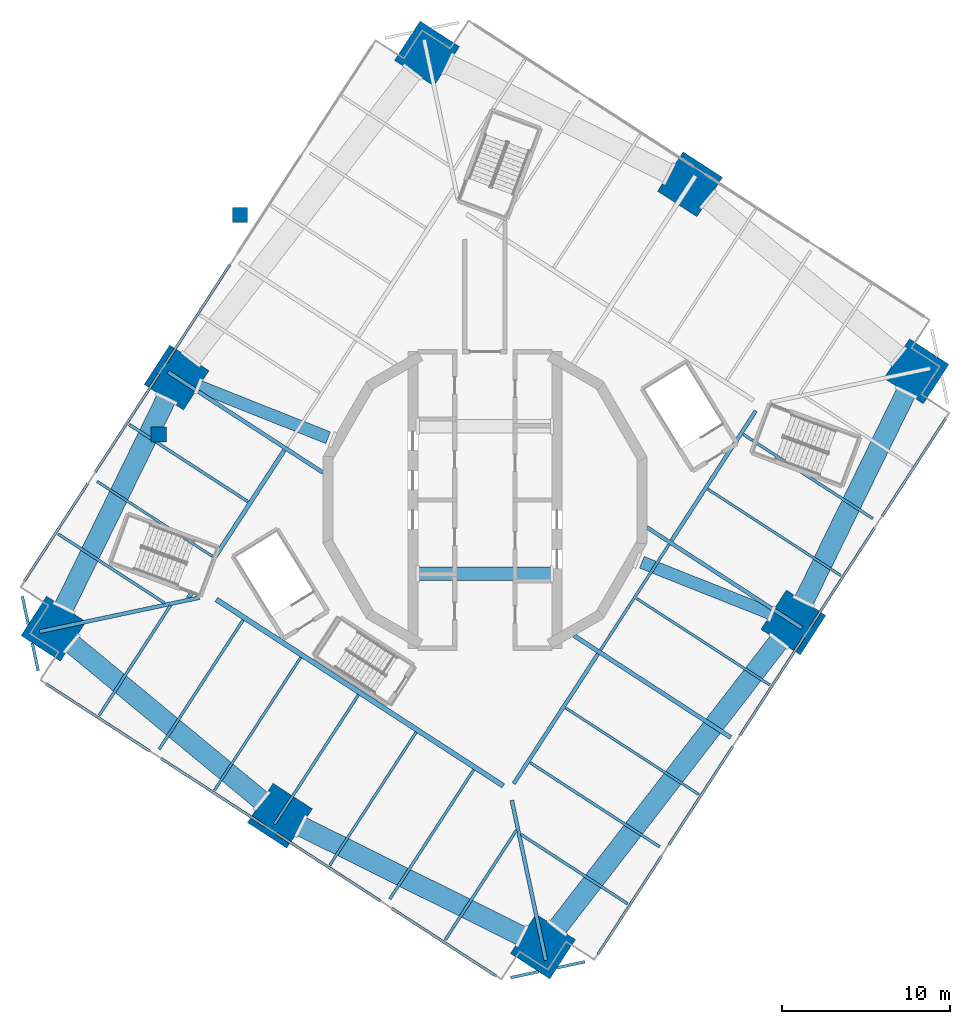
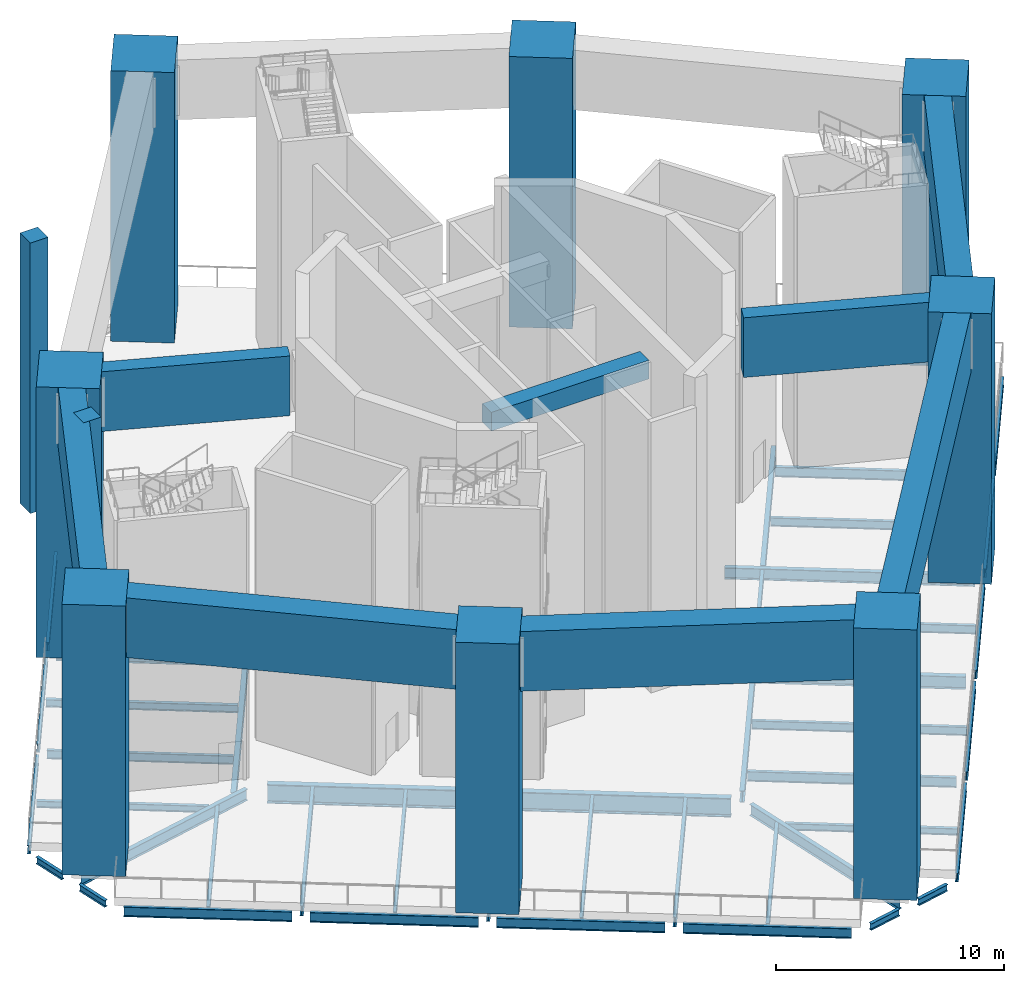
# One storey, part 1 of 16: 50 beams, 10 columns.
"""IFC4 building model written with IfcOpenShell, lengths in metres."""

from ifc_helpers import new_model, si_unit, direction, frame, origin, origin_2d, place, context, subcontext, project, spatial, rectangle, i_section, extrude, material, material_profile, profile_set, type_object, element, save


model = new_model("IFC4")

# Units and contexts
model_context = context("Model", 3, precision=1e-05, world=origin(), true_north=direction((0.0, 1.0)))
body_context = subcontext(model_context, "Body", "Model", "MODEL_VIEW")
ifc_project = project(units=[si_unit("LENGTHUNIT", "METRE"), si_unit("AREAUNIT", "SQUARE_METRE"), si_unit("VOLUMEUNIT", "CUBIC_METRE"), si_unit("PLANEANGLEUNIT", "RADIAN"), si_unit("MASSUNIT", "GRAM", prefix="KILO")], contexts=[model_context])

# Site, building, storey
site_placement = place(None, origin())
site = spatial("IfcSite", under=ifc_project, at=site_placement, CompositionType="ELEMENT")
building_placement = place(site_placement, origin())
building = spatial("IfcBuilding", under=site, at=building_placement, Name="Cantera Rosa Tower", CompositionType="ELEMENT")
storey_placement = place(building_placement, frame((0.0, 0.0, 290.10009765625)))
storey = spatial("IfcBuildingStorey", under=building, at=storey_placement, Name="L66", CompositionType="ELEMENT", Elevation=290.10009765625)

# Columns
ifc_material_1 = material(Name="Concrete C50/60", Category="concrete")
ifc_material_profile_1 = material_profile(ifc_material_1, rectangle(XDim=0.89990234375, YDim=0.89990234375, at=origin_2d()), Name="RC COLUMN RC900X900 C50/60")
ifc_profile_set_1 = profile_set([ifc_material_profile_1], Name="Concrete C50/60")
column_type_1 = type_object("IfcColumnType", Name="RC COLUMN RC900X900 C50/60", PredefinedType="COLUMN", material=ifc_profile_set_1)
for number, where, z_axis, x_axis, name in (
    (1, (-14.6015625, 17.00341796875, 0.0), (0.0, 0.0, 1.0), (1.0, 0.0, 0.0), "CP-L67-1 L66"),
    (2, (-19.452392578125, 3.9130859375, 0.0), (0.0, 0.0, 1.0), (1.0, 0.0, 0.0), "CP-L67-2 L66"),
):
    element("IfcColumn", number, at=place(storey_placement, frame(where, z_axis=z_axis, x_axis=x_axis)), inside=storey, type_object=column_type_1, Name=name, PredefinedType="COLUMN", context=body_context, shape_type="SweptSolid", body=[
        extrude(rectangle(XDim=0.89990234375, YDim=0.89990234375, at=origin_2d()), origin(), (0.0, 0.0, 1.0), 14.5),
    ])
ifc_material_2 = material(Name="Concrete C50/60", Category="concrete")
ifc_material_profile_2 = material_profile(ifc_material_2, rectangle(XDim=2.800048828125, YDim=2.800048828125, at=origin_2d()), Name="RC MEGA COLUMN RC2800X2800 C50/60")
ifc_profile_set_2 = profile_set([ifc_material_profile_2], Name="Concrete C50/60")
column_type_2 = type_object("IfcColumnType", Name="RC MEGA COLUMN RC2800X2800 C50/60", PredefinedType="COLUMN", material=ifc_profile_set_2)
for number, where, z_axis, x_axis, name in (
    (3, (-3.455078125, 26.62744140625, 0.0), (0.0, 0.0, 1.0), (0.544639035015, 0.838670567945, 0.0), "PM-C-Z5-06 L66"),
    (4, (25.730712890625, 7.674072265625, 0.0), (0.0, 0.0, 1.0), (0.544639035015, 0.838670567945, 0.0), "PM-C-Z5-26 L66"),
    (5, (-25.730712890625, -7.674072265625, 0.0), (0.0, 0.0, 1.0), (0.544639035015, 0.838670567945, 0.0), "PM-C-Z5-13 L66"),
    (6, (3.455078125, -26.62744140625, 0.0), (0.0, 0.0, 1.0), (0.544639035015, 0.838670567945, 0.0), "PM-C-Z5-19 L66"),
    (7, (12.22705078125, 18.828125, 0.0), (0.0, 0.0, 1.0), (0.544639035015, 0.838670567945, 0.0), "PM-C-Z5-03 L66"),
    (8, (-12.22705078125, -18.828125, 0.0), (0.0, 0.0, 1.0), (0.544639035015, 0.838670567945, 0.0), "PM-C-Z5-16 L66"),
    (9, (-18.388916015625, 7.303466796875, 0.0), (0.0, 0.0, 1.0), (0.544639035015, 0.838670567945, 0.0), "PM-C-Z5-10 L66"),
    (10, (18.388916015625, -7.303466796875, 0.0), (0.0, 0.0, 1.0), (0.544639035015, 0.838670567945, 0.0), "PM-C-Z5-23 L66"),
):
    element("IfcColumn", number, at=place(storey_placement, frame(where, z_axis=z_axis, x_axis=x_axis)), inside=storey, type_object=column_type_2, Name=name, PredefinedType="COLUMN", context=body_context, shape_type="SweptSolid", body=[
        extrude(rectangle(XDim=2.800048828125, YDim=2.800048828125, at=origin_2d()), origin(), (0.0, 0.0, 1.0), 14.5),
    ])

# Beams
ifc_material_3 = material(Name="Concrete C50/60", Category="concrete")
ifc_material_profile_3 = material_profile(ifc_material_3, rectangle(XDim=0.800048828125, YDim=1.0, at=origin_2d()), Name="RC COUPLING BEAM RC800X1000 C50/60")
ifc_profile_set_3 = profile_set([ifc_material_profile_3], Name="Concrete C50/60")
beam_type_1 = type_object("IfcBeamType", Name="RC COUPLING BEAM RC800X1000 C50/60", PredefinedType="BEAM", material=ifc_profile_set_3)
beam_1_placement = place(storey_placement, frame((-4.0, -4.39990234375, 14.0), z_axis=(1.0, 0.0, 0.0), x_axis=(0.0, 1.0, 0.0)))
element("IfcBeam", 11, at=beam_1_placement, inside=storey, type_object=beam_type_1, Name="CPL-L66-1", PredefinedType="BEAM", context=body_context, shape_type="SweptSolid", body=[
    extrude(rectangle(XDim=0.800048828125, YDim=1.0, at=origin_2d()), origin(), (0.0, 0.0, 1.0), 8.0),
])
ifc_material_4 = material(Name="Concrete C70/85", Category="concrete")
ifc_material_profile_4 = material_profile(ifc_material_4, rectangle(XDim=0.75, YDim=3.199951171875, at=origin_2d()), Name="RC OUTRIGGER BEAM RC750X3200 C70/85")
ifc_profile_set_4 = profile_set([ifc_material_profile_4], Name="Concrete C70/85")
beam_type_2 = type_object("IfcBeamType", Name="RC OUTRIGGER BEAM RC750X3200 C70/85", PredefinedType="BEAM", material=ifc_profile_set_4)
for number, where, z_axis, x_axis, name in (
    (12, (-9.351806640625, 3.71435546875, 12.89990234375), (-0.929386751832, 0.369107390225, 0.0), (-0.369107390225, -0.929386751832, 0.0), "OR-W66 L66"),
    (13, (9.351806640625, -3.71435546875, 12.89990234375), (0.929386751832, -0.369107390225, 0.0), (0.369107390225, 0.929386751832, 0.0), "OR-E66 L66"),
):
    element("IfcBeam", number, at=place(storey_placement, frame(where, z_axis=z_axis, x_axis=x_axis)), inside=storey, type_object=beam_type_2, Name=name, PredefinedType="BEAM", context=body_context, shape_type="SweptSolid", body=[
        extrude(rectangle(XDim=0.75, YDim=3.199951171875, at=origin_2d()), origin(), (0.0, 0.0, 1.0), 8.373779296875),
    ])
ifc_material_5 = material(Name="Concrete C70/85", Category="concrete")
ifc_material_profile_5 = material_profile(ifc_material_5, rectangle(XDim=1.199951171875, YDim=3.199951171875, at=origin_2d()), Name="RC PORTAL TRANSFER GIRDER RC1200X3200 C70/85")
ifc_profile_set_5 = profile_set([ifc_material_profile_5], Name="Concrete C70/85")
beam_type_3 = type_object("IfcBeamType", Name="RC PORTAL TRANSFER GIRDER RC1200X3200 C70/85", PredefinedType="BEAM", material=ifc_profile_set_5)
beam_2_placement = place(storey_placement, frame((-24.68994140625, -8.53369140625, 12.89990234375), z_axis=(0.770983211747, -0.636855468065, 0.0), x_axis=(0.636855468065, 0.770983211747, 0.0)))
element("IfcBeam", 14, at=beam_2_placement, inside=storey, type_object=beam_type_3, Name="PGB-L66-1", PredefinedType="BEAM", context=body_context, shape_type="SweptSolid", body=[
    extrude(rectangle(XDim=1.199951171875, YDim=3.199951171875, at=origin_2d()), origin(), (0.0, 0.0, 1.0), 14.814697265625),
])
beam_3_placement = place(storey_placement, frame((-11.018310546875, -19.42919921875, 12.89990234375), z_axis=(0.895371138171, -0.445320698969, 0.0), x_axis=(0.445320698969, 0.895371138171, 0.0)))
element("IfcBeam", 15, at=beam_3_placement, inside=storey, type_object=beam_type_3, Name="PGB-L66-2", PredefinedType="BEAM", context=body_context, shape_type="SweptSolid", body=[
    extrude(rectangle(XDim=1.199951171875, YDim=3.199951171875, at=origin_2d()), origin(), (0.0, 0.0, 1.0), 14.814453125),
])
beam_4_placement = place(storey_placement, frame((4.280517578125, -25.559326171875, 12.89990234375), z_axis=(0.611489724216, 0.791252372621, 0.0), x_axis=(-0.791252372621, 0.611489724216, 0.0)))
element("IfcBeam", 16, at=beam_4_placement, inside=storey, type_object=beam_type_3, Name="PGB-L66-3", PredefinedType="BEAM", context=body_context, shape_type="SweptSolid", body=[
    extrude(rectangle(XDim=1.199951171875, YDim=3.199951171875, at=origin_2d()), origin(), (0.0, 0.0, 1.0), 21.721923828125),
])
for number, where, z_axis, x_axis, name in (
    (17, (18.983154296875, -6.09130859375, 12.89990234375), (0.440144517396, 0.897926947923, 0.0), (-0.897926947923, 0.440144517396, 0.0), "PGB-L66-4"),
    (18, (-18.983154296875, 6.09130859375, 12.89990234375), (-0.440144517396, -0.897926947923, 0.0), (0.897926947923, -0.440144517396, 0.0), "PGB-L66-8"),
):
    element("IfcBeam", number, at=place(storey_placement, frame(where, z_axis=z_axis, x_axis=x_axis)), inside=storey, type_object=beam_type_3, Name=name, PredefinedType="BEAM", context=body_context, shape_type="SweptSolid", body=[
        extrude(rectangle(XDim=1.199951171875, YDim=3.199951171875, at=origin_2d()), origin(), (0.0, 0.0, 1.0), 13.980224609375),
    ])
ifc_material_6 = material(Name="Steel ASTM A992 (Fy 345 MPa)", Category="steel")
ifc_material_profile_6 = material_profile(ifc_material_6, i_section(OverallWidth=0.302001953125, OverallDepth=1.010009765625, WebThickness=0.02099609375, FlangeThickness=0.0400390625, FilletRadius=0.030029296875, at=origin_2d()), Name="W1000X350")
ifc_profile_set_6 = profile_set([ifc_material_profile_6], Name="Steel ASTM A992 (Fy 345 MPa)")
beam_type_4 = type_object("IfcBeamType", Name="STEEL BEAM W1000X350", PredefinedType="BEAM", material=ifc_profile_set_6)
beam_5_placement = place(storey_placement, frame((1.0927734375, -17.045166015625, -0.955078125), z_axis=(-0.838671580977, 0.54463747508, 0.0), x_axis=(-0.54463747508, -0.838671580977, 0.0)))
element("IfcBeam", 19, at=beam_5_placement, inside=storey, type_object=beam_type_4, Name="RB-Z5-09 L66", PredefinedType="BEAM", context=body_context, shape_type="SweptSolid", body=[
    extrude(i_section(OverallWidth=0.302001953125, OverallDepth=1.010009765625, WebThickness=0.02099609375, FlangeThickness=0.0400390625, FilletRadius=0.030029296875, at=origin_2d()), origin(), (0.0, 0.0, 1.0), 20.39990234375),
])
ifc_material_7 = material(Name="Steel ASTM A992 (Fy 345 MPa)", Category="steel")
ifc_material_profile_7 = material_profile(ifc_material_7, i_section(OverallWidth=0.154052734375, OverallDepth=0.4599609375, WebThickness=0.009033203125, FlangeThickness=0.015380859375, FilletRadius=0.01025390625, at=origin_2d()), Name="W460X68")
ifc_profile_set_7 = profile_set([ifc_material_profile_7], Name="Steel ASTM A992 (Fy 345 MPa)")
beam_type_5 = type_object("IfcBeamType", Name="STEEL BEAM W460X68", PredefinedType="BEAM", material=ifc_profile_set_7)
beam_6_placement = place(storey_placement, frame((-23.12939453125, 1.10546875, -0.68017578125), z_axis=(0.838672777751, -0.544635632198, 0.0), x_axis=(0.544635632198, 0.838672777751, 0.0)))
element("IfcBeam", 20, at=beam_6_placement, inside=storey, type_object=beam_type_5, Name="G-Z5-07 L66", PredefinedType="BEAM", context=body_context, shape_type="SweptSolid", body=[
    extrude(i_section(OverallWidth=0.154052734375, OverallDepth=0.4599609375, WebThickness=0.009033203125, FlangeThickness=0.015380859375, FilletRadius=0.01025390625, at=origin_2d()), origin(), (0.0, 0.0, 1.0), 8.2001953125),
])
ifc_material_8 = material(Name="Steel ASTM A992 (Fy 345 MPa)", Category="steel")
ifc_material_profile_8 = material_profile(ifc_material_8, i_section(OverallWidth=0.166015625, OverallDepth=0.528076171875, WebThickness=0.009765625, FlangeThickness=0.013671875, FilletRadius=0.0126953125, at=origin_2d()), Name="W530X74")
ifc_profile_set_8 = profile_set([ifc_material_profile_8], Name="Steel ASTM A992 (Fy 345 MPa)")
beam_type_6 = type_object("IfcBeamType", Name="STEEL BEAM W530X74", PredefinedType="BEAM", material=ifc_profile_set_8)
for number, where, z_axis, x_axis, name in (
    (21, (10.41748046875, -20.68017578125, -0.714111328125), (-0.838669083999, 0.544641320086, 0.0), (-0.544641320086, -0.838669083999, 0.0), "G-Z5-08 L66"),
    (22, (23.12939453125, -1.10546875, -0.714111328125), (-0.838669083999, 0.544641320086, 0.0), (-0.544641320086, -0.838669083999, 0.0), "G-Z5-11 L66"),
):
    element("IfcBeam", number, at=place(storey_placement, frame(where, z_axis=z_axis, x_axis=x_axis)), inside=storey, type_object=beam_type_6, Name=name, PredefinedType="BEAM", context=body_context, shape_type="SweptSolid", body=[
        extrude(i_section(OverallWidth=0.166015625, OverallDepth=0.528076171875, WebThickness=0.009765625, FlangeThickness=0.013671875, FilletRadius=0.0126953125, at=origin_2d()), origin(), (0.0, 0.0, 1.0), 9.2001953125),
    ])
beam_7_placement = place(storey_placement, frame((-19.430908203125, -14.865234375, -0.714111328125), z_axis=(0.544634776066, 0.838673333724, 0.0), x_axis=(-0.838673333724, 0.544634776066, 0.0)))
element("IfcBeam", 23, at=beam_7_placement, inside=storey, type_object=beam_type_6, Name="G-Z5-12 L66", PredefinedType="BEAM", context=body_context, shape_type="SweptSolid", body=[
    extrude(i_section(OverallWidth=0.166015625, OverallDepth=0.528076171875, WebThickness=0.009765625, FlangeThickness=0.013671875, FilletRadius=0.0126953125, at=origin_2d()), origin(), (0.0, 0.0, 1.0), 9.19970703125),
])
beam_8_placement = place(storey_placement, frame((-12.553955078125, -19.331298828125, -0.714111328125), z_axis=(0.544641320086, 0.838669083999, 0.0), x_axis=(-0.838669083999, 0.544641320086, 0.0)))
element("IfcBeam", 24, at=beam_8_placement, inside=storey, type_object=beam_type_6, Name="G-Z5-13 L66", PredefinedType="BEAM", context=body_context, shape_type="SweptSolid", body=[
    extrude(i_section(OverallWidth=0.166015625, OverallDepth=0.528076171875, WebThickness=0.009765625, FlangeThickness=0.013671875, FilletRadius=0.0126953125, at=origin_2d()), origin(), (0.0, 0.0, 1.0), 9.2001953125),
])
beam_9_placement = place(storey_placement, frame((-5.6767578125, -23.79736328125, -0.714111328125), z_axis=(0.544622654601, 0.838681205283, 0.0), x_axis=(-0.838681205283, 0.544622654601, 0.0)))
element("IfcBeam", 25, at=beam_9_placement, inside=storey, type_object=beam_type_6, Name="G-Z5-14 L66", PredefinedType="BEAM", context=body_context, shape_type="SweptSolid", body=[
    extrude(i_section(OverallWidth=0.166015625, OverallDepth=0.528076171875, WebThickness=0.009765625, FlangeThickness=0.013671875, FilletRadius=0.0126953125, at=origin_2d()), origin(), (0.0, 0.0, 1.0), 9.199951171875),
])
beam_10_placement = place(storey_placement, frame((6.894775390625, -8.93701171875, -0.714111328125), z_axis=(0.544649868382, 0.838663532575, 0.0), x_axis=(-0.838663532575, 0.544649868382, 0.0)))
element("IfcBeam", 26, at=beam_10_placement, inside=storey, type_object=beam_type_6, Name="RB-Z5-05 L66", PredefinedType="BEAM", context=body_context, shape_type="SweptSolid", body=[
    extrude(i_section(OverallWidth=0.166015625, OverallDepth=0.528076171875, WebThickness=0.009765625, FlangeThickness=0.013671875, FilletRadius=0.0126953125, at=origin_2d()), origin(), (0.0, 0.0, 1.0), 7.47998046875),
])
ifc_material_9 = material(Name="Steel ASTM A992 (Fy 345 MPa)", Category="steel")
ifc_material_profile_9 = material_profile(ifc_material_9, i_section(OverallWidth=0.22802734375, OverallDepth=0.60205078125, WebThickness=0.010498046875, FlangeThickness=0.014892578125, FilletRadius=0.0126953125, at=origin_2d()), Name="W610X101")
ifc_profile_set_9 = profile_set([ifc_material_profile_9], Name="Steel ASTM A992 (Fy 345 MPa)")
beam_type_7 = type_object("IfcBeamType", Name="STEEL BEAM W610X101", PredefinedType="BEAM", material=ifc_profile_set_9)
for number, where, z_axis, x_axis, name in (
    (27, (-26.560791015625, -7.8505859375, -0.7509765625), (0.978148167214, 0.20790902572, 0.0), (-0.20790902572, 0.978148167214, 0.0), "CB-Z5-02 L66"),
    (28, (3.63134765625, -27.45751953125, -0.7509765625), (-0.20790902572, 0.978148167214, 0.0), (-0.978148167214, -0.20790902572, 0.0), "CB-Z5-03 L66"),
):
    element("IfcBeam", number, at=place(storey_placement, frame(where, z_axis=z_axis, x_axis=x_axis)), inside=storey, type_object=beam_type_7, Name=name, PredefinedType="BEAM", context=body_context, shape_type="SweptSolid", body=[
        extrude(i_section(OverallWidth=0.22802734375, OverallDepth=0.60205078125, WebThickness=0.010498046875, FlangeThickness=0.014892578125, FilletRadius=0.0126953125, at=origin_2d()), origin(), (0.0, 0.0, 1.0), 9.758056640625),
    ])
for number, where, z_axis, x_axis, name in (
    (29, (1.71533203125, -16.912841796875, -0.7509765625), (0.54463982867, 0.838670052539, 0.0), (-0.838670052539, 0.54463982867, 0.0), "RB-Z5-04 L66"),
    (30, (11.132080078125, -2.412109375, -0.7509765625), (0.54463982867, 0.838670052539, 0.0), (-0.838670052539, 0.54463982867, 0.0), "RB-Z5-06 L66"),
):
    element("IfcBeam", number, at=place(storey_placement, frame(where, z_axis=z_axis, x_axis=x_axis)), inside=storey, type_object=beam_type_7, Name=name, PredefinedType="BEAM", context=body_context, shape_type="SweptSolid", body=[
        extrude(i_section(OverallWidth=0.22802734375, OverallDepth=0.60205078125, WebThickness=0.010498046875, FlangeThickness=0.014892578125, FilletRadius=0.0126953125, at=origin_2d()), origin(), (0.0, 0.0, 1.0), 9.2099609375),
    ])
ifc_material_10 = material(Name="Steel ASTM A992 (Fy 345 MPa)", Category="steel")
ifc_material_profile_10 = material_profile(ifc_material_10, i_section(OverallWidth=0.22900390625, OverallDepth=0.612060546875, WebThickness=0.011962890625, FlangeThickness=0.01953125, FilletRadius=0.0126953125, at=origin_2d()), Name="W610X125")
ifc_profile_set_10 = profile_set([ifc_material_profile_10], Name="Steel ASTM A992 (Fy 345 MPa)")
beam_type_8 = type_object("IfcBeamType", Name="STEEL BEAM W610X125", PredefinedType="BEAM", material=ifc_profile_set_10)
for number, where, z_axis, x_axis, name in (
    (31, (-18.89208984375, 7.63037109375, -0.756103515625), (0.838673569952, -0.544634412302, 0.0), (0.544634412302, 0.838673569952, 0.0), "G-Z5-06 L66"),
    (32, (18.89208984375, -7.63037109375, -0.756103515625), (-0.838673569952, 0.544634412302, 0.0), (-0.544634412302, -0.838673569952, 0.0), "G-Z5-10 L66"),
):
    element("IfcBeam", number, at=place(storey_placement, frame(where, z_axis=z_axis, x_axis=x_axis)), inside=storey, type_object=beam_type_8, Name=name, PredefinedType="BEAM", context=body_context, shape_type="SweptSolid", body=[
        extrude(i_section(OverallWidth=0.22900390625, OverallDepth=0.612060546875, WebThickness=0.011962890625, FlangeThickness=0.01953125, FilletRadius=0.0126953125, at=origin_2d()), origin(), (0.0, 0.0, 1.0), 11.009033203125),
    ])
ifc_material_11 = material(Name="Steel ASTM A992 (Fy 345 MPa)", Category="steel")
ifc_material_profile_11 = material_profile(ifc_material_11, i_section(OverallWidth=0.25390625, OverallDepth=0.677978515625, WebThickness=0.01171875, FlangeThickness=0.016357421875, FilletRadius=0.01513671875, at=origin_2d()), Name="W690X125")
ifc_profile_set_11 = profile_set([ifc_material_profile_11], Name="Steel ASTM A992 (Fy 345 MPa)")
beam_type_9 = type_object("IfcBeamType", Name="STEEL BEAM W690X125", PredefinedType="BEAM", material=ifc_profile_set_11)
beam_11_placement = place(storey_placement, frame((14.65478515625, -14.1552734375, -0.7890625), z_axis=(-0.838661833747, 0.544652484265, 0.0), x_axis=(-0.544652484265, -0.838661833747, 0.0)))
element("IfcBeam", 33, at=beam_11_placement, inside=storey, type_object=beam_type_9, Name="G-Z5-09 L66", PredefinedType="BEAM", context=body_context, shape_type="SweptSolid", body=[
    extrude(i_section(OverallWidth=0.25390625, OverallDepth=0.677978515625, WebThickness=0.01171875, FlangeThickness=0.016357421875, FilletRadius=0.01513671875, at=origin_2d()), origin(), (0.0, 0.0, 1.0), 11.141357421875),
])
beam_12_placement = place(storey_placement, frame((-17.695068359375, -5.857666015625, -0.7890625), z_axis=(0.544635575355, 0.838672814665, 0.0), x_axis=(-0.838672814665, 0.544635575355, 0.0)))
element("IfcBeam", 34, at=beam_12_placement, inside=storey, type_object=beam_type_9, Name="RB-Z5-01 L66", PredefinedType="BEAM", context=body_context, shape_type="SweptSolid", body=[
    extrude(i_section(OverallWidth=0.25390625, OverallDepth=0.677978515625, WebThickness=0.01171875, FlangeThickness=0.016357421875, FilletRadius=0.01513671875, at=origin_2d()), origin(), (0.0, 0.0, 1.0), 10.510009765625),
])
ifc_material_12 = material(Name="Steel ASTM A992 (Fy 345 MPa)", Category="steel")
ifc_material_profile_12 = material_profile(ifc_material_12, i_section(OverallWidth=0.1708984375, OverallDepth=0.35595703125, WebThickness=0.00732421875, FlangeThickness=0.01171875, FilletRadius=0.010009765625, at=origin_2d()), Name="W360X51")
ifc_profile_set_12 = profile_set([ifc_material_profile_12], Name="Steel ASTM A992 (Fy 345 MPa)")
beam_type_10 = type_object("IfcBeamType", Name="STEEL JOIST W360X51", PredefinedType="JOIST", material=ifc_profile_set_12)
beam_13_placement = place(storey_placement, frame((-25.457763671875, -2.020751953125, -0.628173828125), z_axis=(0.838680170462, -0.54462424815, 0.0), x_axis=(0.54462424815, 0.838680170462, 0.0)))
element("IfcBeam", 35, at=beam_13_placement, inside=storey, type_object=beam_type_10, Name="B-Z5-09 L66", PredefinedType="JOIST", context=body_context, shape_type="SweptSolid", body=[
    extrude(i_section(OverallWidth=0.1708984375, OverallDepth=0.35595703125, WebThickness=0.00732421875, FlangeThickness=0.01171875, FilletRadius=0.010009765625, at=origin_2d()), origin(), (0.0, 0.0, 1.0), 7.590087890625),
])
beam_14_placement = place(storey_placement, frame((8.508544921875, -24.07861328125, -0.628173828125), z_axis=(-0.838670629323, 0.544638940502, 0.0), x_axis=(-0.544638940502, -0.838670629323, 0.0)))
element("IfcBeam", 36, at=beam_14_placement, inside=storey, type_object=beam_type_10, Name="B-Z5-10 L66", PredefinedType="JOIST", context=body_context, shape_type="SweptSolid", body=[
    extrude(i_section(OverallWidth=0.1708984375, OverallDepth=0.35595703125, WebThickness=0.00732421875, FlangeThickness=0.01171875, FilletRadius=0.010009765625, at=origin_2d()), origin(), (0.0, 0.0, 1.0), 7.58984375),
])
for number, where, z_axis, x_axis, name in (
    (37, (-23.005859375, -12.842041015625, -0.628173828125), (0.544641754757, 0.838668801718, 0.0), (-0.838668801718, 0.544641754757, 0.0), "B-Z5-15 L66"),
    (38, (-2.37451171875, -26.239990234375, -0.628173828125), (0.54465605183, 0.838659516851, 0.0), (-0.838659516851, 0.54465605183, 0.0), "B-Z5-18 L66"),
):
    element("IfcBeam", number, at=place(storey_placement, frame(where, z_axis=z_axis, x_axis=x_axis)), inside=storey, type_object=beam_type_10, Name=name, PredefinedType="JOIST", context=body_context, shape_type="SweptSolid", body=[
        extrude(i_section(OverallWidth=0.1708984375, OverallDepth=0.35595703125, WebThickness=0.00732421875, FlangeThickness=0.01171875, FilletRadius=0.010009765625, at=origin_2d()), origin(), (0.0, 0.0, 1.0), 7.800048828125),
    ])
ifc_material_13 = material(Name="Steel ASTM A992 (Fy 345 MPa)", Category="steel")
ifc_material_profile_13 = material_profile(ifc_material_13, i_section(OverallWidth=0.177978515625, OverallDepth=0.406005859375, WebThickness=0.0078125, FlangeThickness=0.0126953125, FilletRadius=0.01025390625, at=origin_2d()), Name="W410X60")
ifc_profile_set_13 = profile_set([ifc_material_profile_13], Name="Steel ASTM A992 (Fy 345 MPa)")
beam_type_11 = type_object("IfcBeamType", Name="STEEL JOIST W410X60", PredefinedType="JOIST", material=ifc_profile_set_13)
beam_15_placement = place(storey_placement, frame((-21.220458984375, 4.504150390625, -0.653076171875), z_axis=(0.838670615657, -0.544638961546, 0.0), x_axis=(0.544638961546, 0.838670615657, 0.0)))
element("IfcBeam", 39, at=beam_15_placement, inside=storey, type_object=beam_type_11, Name="B-Z5-08 L66", PredefinedType="JOIST", context=body_context, shape_type="SweptSolid", body=[
    extrude(i_section(OverallWidth=0.177978515625, OverallDepth=0.406005859375, WebThickness=0.0078125, FlangeThickness=0.0126953125, FilletRadius=0.01025390625, at=origin_2d()), origin(), (0.0, 0.0, 1.0), 8.4501953125),
])
ifc_material_14 = material(Name="Steel ASTM A992 (Fy 345 MPa)", Category="steel")
ifc_material_profile_14 = material_profile(ifc_material_14, i_section(OverallWidth=0.154052734375, OverallDepth=0.4599609375, WebThickness=0.009033203125, FlangeThickness=0.015380859375, FilletRadius=0.01025390625, at=origin_2d()), Name="W460X68")
ifc_profile_set_14 = profile_set([ifc_material_profile_14], Name="Steel ASTM A992 (Fy 345 MPa)")
beam_type_12 = type_object("IfcBeamType", Name="STEEL JOIST W460X68", PredefinedType="JOIST", material=ifc_profile_set_14)
beam_16_placement = place(storey_placement, frame((12.745849609375, -17.5537109375, -0.68017578125), z_axis=(-0.838679048974, 0.544625975154, 0.0), x_axis=(-0.544625975154, -0.838679048974, 0.0)))
element("IfcBeam", 40, at=beam_16_placement, inside=storey, type_object=beam_type_12, Name="B-Z5-11 L66", PredefinedType="JOIST", context=body_context, shape_type="SweptSolid", body=[
    extrude(i_section(OverallWidth=0.154052734375, OverallDepth=0.4599609375, WebThickness=0.009033203125, FlangeThickness=0.015380859375, FilletRadius=0.01025390625, at=origin_2d()), origin(), (0.0, 0.0, 1.0), 9.449951171875),
])
for number, where, z_axis, x_axis, name in (
    (41, (16.983154296875, -11.029052734375, -0.68017578125), (-0.838667248419, 0.544644146603, 0.0), (-0.544644146603, -0.838667248419, 0.0), "B-Z5-12 L66"),
    (42, (21.220458984375, -4.504150390625, -0.68017578125), (-0.838667248419, 0.544644146603, 0.0), (-0.544644146603, -0.838667248419, 0.0), "B-Z5-13 L66"),
    (43, (-16.128662109375, -17.30810546875, -0.68017578125), (0.544644146603, 0.838667248419, 0.0), (-0.838667248419, 0.544644146603, 0.0), "B-Z5-16 L66"),
):
    element("IfcBeam", number, at=place(storey_placement, frame(where, z_axis=z_axis, x_axis=x_axis)), inside=storey, type_object=beam_type_12, Name=name, PredefinedType="JOIST", context=body_context, shape_type="SweptSolid", body=[
        extrude(i_section(OverallWidth=0.154052734375, OverallDepth=0.4599609375, WebThickness=0.009033203125, FlangeThickness=0.015380859375, FilletRadius=0.01025390625, at=origin_2d()), origin(), (0.0, 0.0, 1.0), 9.4501953125),
    ])
beam_17_placement = place(storey_placement, frame((-9.25146484375, -21.77392578125, -0.68017578125), z_axis=(0.544637775879, 0.838671385636, 0.0), x_axis=(-0.838671385636, 0.544637775879, 0.0)))
element("IfcBeam", 44, at=beam_17_placement, inside=storey, type_object=beam_type_12, Name="B-Z5-17 L66", PredefinedType="JOIST", context=body_context, shape_type="SweptSolid", body=[
    extrude(i_section(OverallWidth=0.154052734375, OverallDepth=0.4599609375, WebThickness=0.009033203125, FlangeThickness=0.015380859375, FilletRadius=0.01025390625, at=origin_2d()), origin(), (0.0, 0.0, 1.0), 9.44970703125),
])
ifc_material_15 = material(Name="Steel ASTM A992 (Fy 345 MPa)", Category="steel")
ifc_material_profile_15 = material_profile(ifc_material_15, i_section(OverallWidth=0.1708984375, OverallDepth=0.35595703125, WebThickness=0.00732421875, FlangeThickness=0.01171875, FilletRadius=0.010009765625, at=origin_2d()), Name="W360X51")
ifc_profile_set_15 = profile_set([ifc_material_profile_15], Name="Steel ASTM A992 (Fy 345 MPa)")
beam_type_13 = type_object("IfcBeamType", Name="STEEL SPANDREL BEAM W360X51", PredefinedType="SPANDREL", material=ifc_profile_set_15)
for number, where, z_axis, x_axis, name in (
    (45, (-27.58447265625, -5.7548828125, -0.628173828125), (0.207888006632, -0.978152634663, 0.0), (0.978152634663, 0.207888006632, 0.0), "EB-Z5-12 L66"),
    (46, (-26.996337890625, -8.521484375, -0.628173828125), (0.207888006632, -0.978152634663, 0.0), (0.978152634663, 0.207888006632, 0.0), "EB-Z5-13 L66"),
):
    element("IfcBeam", number, at=place(storey_placement, frame(where, z_axis=z_axis, x_axis=x_axis)), inside=storey, type_object=beam_type_13, Name=name, PredefinedType="SPANDREL", context=body_context, shape_type="SweptSolid", body=[
        extrude(i_section(OverallWidth=0.1708984375, OverallDepth=0.35595703125, WebThickness=0.00732421875, FlangeThickness=0.01171875, FilletRadius=0.010009765625, at=origin_2d()), origin(), (0.0, 0.0, 1.0), 1.697021484375),
    ])
for number, where, z_axis, x_axis, name in (
    (47, (1.53564453125, -28.481201171875, -0.628173828125), (0.978158850918, 0.20785875582, 0.0), (-0.20785875582, 0.978158850918, 0.0), "EB-Z5-18 L66"),
    (48, (4.30224609375, -27.893310546875, -0.628173828125), (0.978129595322, 0.207996381593, 0.0), (-0.207996381593, 0.978129595322, 0.0), "EB-Z5-19 L66"),
):
    element("IfcBeam", number, at=place(storey_placement, frame(where, z_axis=z_axis, x_axis=x_axis)), inside=storey, type_object=beam_type_13, Name=name, PredefinedType="SPANDREL", context=body_context, shape_type="SweptSolid", body=[
        extrude(i_section(OverallWidth=0.1708984375, OverallDepth=0.35595703125, WebThickness=0.00732421875, FlangeThickness=0.01171875, FilletRadius=0.010009765625, at=origin_2d()), origin(), (0.0, 0.0, 1.0), 1.697265625),
    ])
ifc_material_16 = material(Name="Steel ASTM A992 (Fy 345 MPa)", Category="steel")
ifc_material_profile_16 = material_profile(ifc_material_16, i_section(OverallWidth=0.154052734375, OverallDepth=0.4599609375, WebThickness=0.009033203125, FlangeThickness=0.015380859375, FilletRadius=0.01025390625, at=origin_2d()), Name="W460X68")
ifc_profile_set_16 = profile_set([ifc_material_profile_16], Name="Steel ASTM A992 (Fy 345 MPa)")
beam_type_14 = type_object("IfcBeamType", Name="STEEL SPANDREL BEAM W460X68", PredefinedType="SPANDREL", material=ifc_profile_set_16)
beam_18_placement = place(storey_placement, frame((-15.2080078125, 14.03759765625, -0.68017578125), z_axis=(-0.544651451949, -0.838662504164, 0.0), x_axis=(0.838662504164, -0.544651451949, 0.0)))
element("IfcBeam", 49, at=beam_18_placement, inside=storey, type_object=beam_type_14, Name="EB-Z5-09 L66", PredefinedType="SPANDREL", context=body_context, shape_type="SweptSolid", body=[
    extrude(i_section(OverallWidth=0.154052734375, OverallDepth=0.4599609375, WebThickness=0.009033203125, FlangeThickness=0.015380859375, FilletRadius=0.01025390625, at=origin_2d()), origin(), (0.0, 0.0, 1.0), 6.980224609375),
])
for number, where, z_axis, x_axis, name in (
    (50, (-19.4453125, 7.5126953125, -0.68017578125), (-0.544667428764, -0.838652128146, 0.0), (0.838652128146, -0.544667428764, 0.0), "EB-Z5-10 L66"),
    (51, (-23.6826171875, 0.98779296875, -0.68017578125), (-0.544667428764, -0.838652128146, 0.0), (0.838652128146, -0.544667428764, 0.0), "EB-Z5-11 L66"),
):
    element("IfcBeam", number, at=place(storey_placement, frame(where, z_axis=z_axis, x_axis=x_axis)), inside=storey, type_object=beam_type_14, Name=name, PredefinedType="SPANDREL", context=body_context, shape_type="SweptSolid", body=[
        extrude(i_section(OverallWidth=0.154052734375, OverallDepth=0.4599609375, WebThickness=0.009033203125, FlangeThickness=0.015380859375, FilletRadius=0.01025390625, at=origin_2d()), origin(), (0.0, 0.0, 1.0), 6.97998046875),
    ])
for number, where, z_axis, x_axis, name in (
    (52, (6.7333984375, -27.08740234375, -0.68017578125), (0.544651451949, 0.838662504164, 0.0), (-0.838662504164, 0.544651451949, 0.0), "EB-Z5-20 L66"),
    (53, (10.970703125, -20.5625, -0.68017578125), (0.544651451949, 0.838662504164, 0.0), (-0.838662504164, 0.544651451949, 0.0), "EB-Z5-21 L66"),
    (54, (15.2080078125, -14.03759765625, -0.68017578125), (0.544651451949, 0.838662504164, 0.0), (-0.838662504164, 0.544651451949, 0.0), "EB-Z5-22 L66"),
):
    element("IfcBeam", number, at=place(storey_placement, frame(where, z_axis=z_axis, x_axis=x_axis)), inside=storey, type_object=beam_type_14, Name=name, PredefinedType="SPANDREL", context=body_context, shape_type="SweptSolid", body=[
        extrude(i_section(OverallWidth=0.154052734375, OverallDepth=0.4599609375, WebThickness=0.009033203125, FlangeThickness=0.015380859375, FilletRadius=0.01025390625, at=origin_2d()), origin(), (0.0, 0.0, 1.0), 6.980224609375),
    ])
for number, where, z_axis, x_axis, name in (
    (55, (19.4453125, -7.5126953125, -0.68017578125), (0.544667428764, 0.838652128146, 0.0), (-0.838652128146, 0.544667428764, 0.0), "EB-Z5-23 L66"),
    (56, (23.6826171875, -0.98779296875, -0.68017578125), (0.544667428764, 0.838652128146, 0.0), (-0.838652128146, 0.544667428764, 0.0), "EB-Z5-24 L66"),
):
    element("IfcBeam", number, at=place(storey_placement, frame(where, z_axis=z_axis, x_axis=x_axis)), inside=storey, type_object=beam_type_14, Name=name, PredefinedType="SPANDREL", context=body_context, shape_type="SweptSolid", body=[
        extrude(i_section(OverallWidth=0.154052734375, OverallDepth=0.4599609375, WebThickness=0.009033203125, FlangeThickness=0.015380859375, FilletRadius=0.01025390625, at=origin_2d()), origin(), (0.0, 0.0, 1.0), 6.97998046875),
    ])
ifc_material_17 = material(Name="Steel ASTM A992 (Fy 345 MPa)", Category="steel")
ifc_material_profile_17 = material_profile(ifc_material_17, i_section(OverallWidth=0.166015625, OverallDepth=0.528076171875, WebThickness=0.009765625, FlangeThickness=0.013671875, FilletRadius=0.0126953125, at=origin_2d()), Name="W530X74")
ifc_profile_set_17 = profile_set([ifc_material_profile_17], Name="Steel ASTM A992 (Fy 345 MPa)")
beam_type_15 = type_object("IfcBeamType", Name="STEEL SPANDREL BEAM W530X74", PredefinedType="SPANDREL", material=ifc_profile_set_17)
beam_19_placement = place(storey_placement, frame((-26.1904296875, -10.95263671875, -0.714111328125), z_axis=(0.838669679097, -0.544640403719, 0.0), x_axis=(0.544640403719, 0.838669679097, 0.0)))
element("IfcBeam", 57, at=beam_19_placement, inside=storey, type_object=beam_type_15, Name="EB-Z5-14 L66", PredefinedType="SPANDREL", context=body_context, shape_type="SweptSolid", body=[
    extrude(i_section(OverallWidth=0.166015625, OverallDepth=0.528076171875, WebThickness=0.009765625, FlangeThickness=0.013671875, FilletRadius=0.0126953125, at=origin_2d()), origin(), (0.0, 0.0, 1.0), 7.39990234375),
])
beam_20_placement = place(storey_placement, frame((-19.3134765625, -15.418701171875, -0.714111328125), z_axis=(0.838679465365, -0.544625333946, 0.0), x_axis=(0.544625333946, 0.838679465365, 0.0)))
element("IfcBeam", 58, at=beam_20_placement, inside=storey, type_object=beam_type_15, Name="EB-Z5-15 L66", PredefinedType="SPANDREL", context=body_context, shape_type="SweptSolid", body=[
    extrude(i_section(OverallWidth=0.166015625, OverallDepth=0.528076171875, WebThickness=0.009765625, FlangeThickness=0.013671875, FilletRadius=0.0126953125, at=origin_2d()), origin(), (0.0, 0.0, 1.0), 7.400146484375),
])
beam_21_placement = place(storey_placement, frame((-12.436279296875, -19.884765625, -0.714111328125), z_axis=(0.838669679097, -0.544640403719, 0.0), x_axis=(0.544640403719, 0.838669679097, 0.0)))
element("IfcBeam", 59, at=beam_21_placement, inside=storey, type_object=beam_type_15, Name="EB-Z5-16 L66", PredefinedType="SPANDREL", context=body_context, shape_type="SweptSolid", body=[
    extrude(i_section(OverallWidth=0.166015625, OverallDepth=0.528076171875, WebThickness=0.009765625, FlangeThickness=0.013671875, FilletRadius=0.0126953125, at=origin_2d()), origin(), (0.0, 0.0, 1.0), 7.39990234375),
])
beam_22_placement = place(storey_placement, frame((-5.559326171875, -24.350830078125, -0.714111328125), z_axis=(0.838679465365, -0.544625333946, 0.0), x_axis=(0.544625333946, 0.838679465365, 0.0)))
element("IfcBeam", 60, at=beam_22_placement, inside=storey, type_object=beam_type_15, Name="EB-Z5-17 L66", PredefinedType="SPANDREL", context=body_context, shape_type="SweptSolid", body=[
    extrude(i_section(OverallWidth=0.166015625, OverallDepth=0.528076171875, WebThickness=0.009765625, FlangeThickness=0.013671875, FilletRadius=0.0126953125, at=origin_2d()), origin(), (0.0, 0.0, 1.0), 7.400146484375),
])

save(model, "model.ifc")
